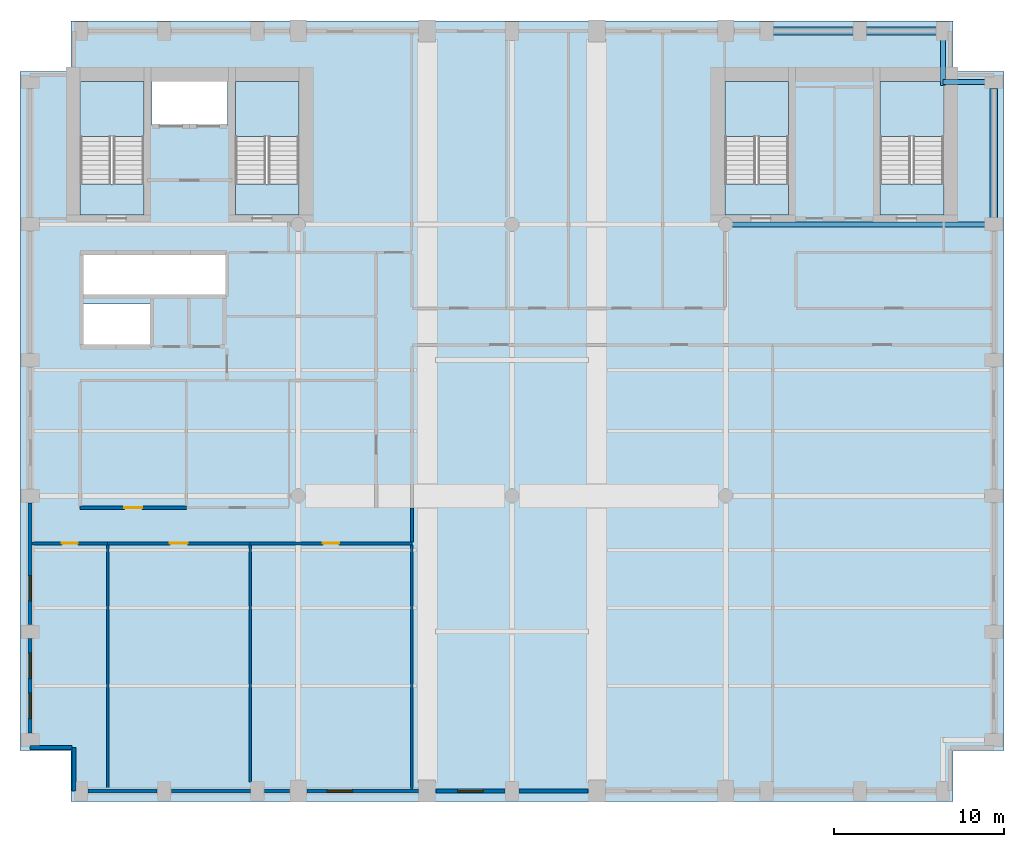
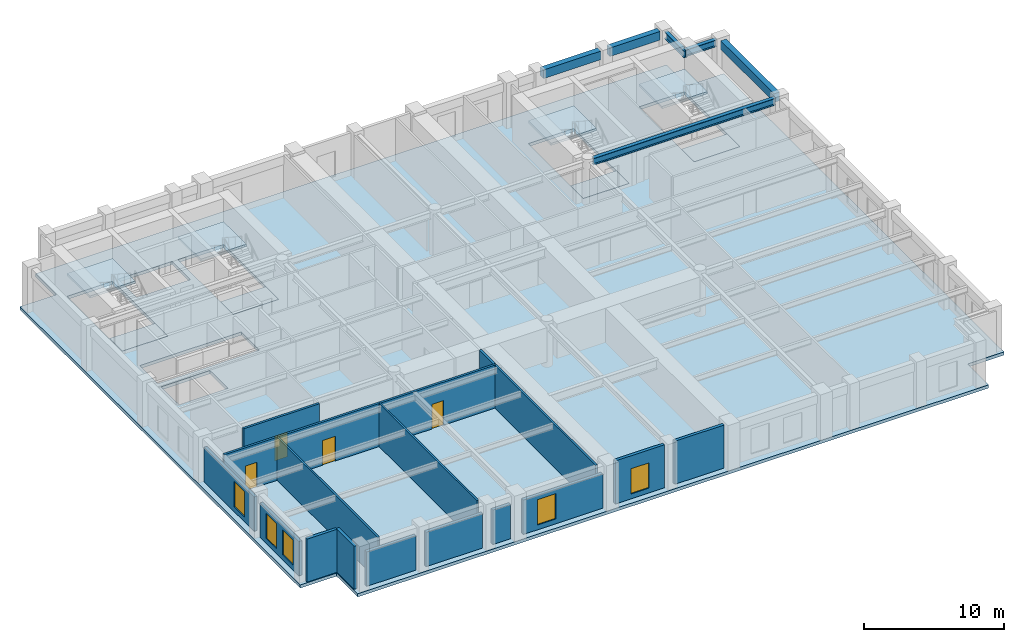
# One storey, part 2 of 8: 18 walls, 9 slabs, 6 beams, 5 windows, 4 doors, 9 openings, 4 elements without a shape of their own.
"""IFC4 building model written with IfcOpenShell, lengths in metres."""

from ifc_helpers import new_model, si_unit, direction, frame, frame_2d, origin, origin_2d, place, context, subcontext, project, spatial, polyline, rectangle, i_section, outline, extrude, material, layer, layer_set, material_profile, profile_set, type_object, element, fill, aggregate, save


model = new_model("IFC4")

# Units and contexts
model_context = context("Model", 3, precision=1e-05, world=origin(), true_north=direction((0.0, 1.0)))
body_context = subcontext(model_context, "Body", "Model", "MODEL_VIEW")
ifc_project = project(units=[si_unit("LENGTHUNIT", "METRE"), si_unit("AREAUNIT", "SQUARE_METRE"), si_unit("VOLUMEUNIT", "CUBIC_METRE"), si_unit("PLANEANGLEUNIT", "RADIAN"), si_unit("MASSUNIT", "GRAM", prefix="KILO")], contexts=[model_context])

# Site, building, storey
site_placement = place(None, origin())
site = spatial("IfcSite", under=ifc_project, at=site_placement, CompositionType="ELEMENT")
building_placement = place(site_placement, origin())
building = spatial("IfcBuilding", under=site, at=building_placement, Name="Sulina Concourse Tower", CompositionType="ELEMENT")
storey_placement = place(building_placement, frame((0.0, 0.0, 178.60009765625)))
storey = spatial("IfcBuildingStorey", under=building, at=storey_placement, Name="L43", CompositionType="ELEMENT", Elevation=178.60009765625)

# Beams
ifc_material_1 = material(Name="Steel S355", Category="steel")
ifc_material_profile_1 = material_profile(ifc_material_1, i_section(OverallWidth=0.300048828125, OverallDepth=0.60009765625, WebThickness=0.015380859375, FlangeThickness=0.030029296875, at=origin_2d()), Name="HE 600 B")
ifc_profile_set_1 = profile_set([ifc_material_profile_1], Name="Steel S355")
beam_type_1 = type_object("IfcBeamType", Name="Floor Primary Girder Zone 3 HE600B", PredefinedType="BEAM", material=ifc_profile_set_1)
beam_1_placement = place(storey_placement, frame((54.39990234375, 42.39990234375, 3.449951171875), z_axis=(1.0, 0.0, 0.0), x_axis=(0.0, 1.0, 0.0)))
element("IfcBeam", 1, at=beam_1_placement, inside=storey, type_object=beam_type_1, Name="TIE-NE-L43", PredefinedType="BEAM", context=body_context, shape_type="SweptSolid", body=[
    extrude(i_section(OverallWidth=0.300048828125, OverallDepth=0.60009765625, WebThickness=0.015380859375, FlangeThickness=0.030029296875, at=origin_2d()), origin(), (0.0, 0.0, 1.0), 2.6201171875),
])
beam_2_placement = place(storey_placement, frame((54.39990234375, 42.199951171875, 3.449951171875), z_axis=(0.0, 1.0, 0.0), x_axis=(-1.0, 0.0, 0.0)))
element("IfcBeam", 2, at=beam_2_placement, inside=storey, type_object=beam_type_1, Name="TIE-NEN-L43", PredefinedType="BEAM", context=body_context, shape_type="SweptSolid", body=[
    extrude(i_section(OverallWidth=0.300048828125, OverallDepth=0.60009765625, WebThickness=0.015380859375, FlangeThickness=0.030029296875, at=origin_2d()), origin(), (0.0, 0.0, 1.0), 2.820068359375),
])
beam_3_placement = place(storey_placement, frame((42.0048828125, 34.0, 3.449951171875), z_axis=(1.0, 0.0, 0.0), x_axis=(0.0, 1.0, 0.0)))
element("IfcBeam", 3, at=beam_3_placement, inside=storey, type_object=beam_type_1, Name="FG-EWN4-L43", PredefinedType="BEAM", context=body_context, shape_type="SweptSolid", body=[
    extrude(i_section(OverallWidth=0.300048828125, OverallDepth=0.60009765625, WebThickness=0.015380859375, FlangeThickness=0.030029296875, at=origin_2d()), origin(), (0.0, 0.0, 1.0), 15.01513671875),
])
ifc_material_2 = material(Name="Precast concrete C50/60", Category="concrete")
ifc_material_profile_2 = material_profile(ifc_material_2, rectangle(XDim=0.449951171875, YDim=0.75, at=origin_2d()), Name="RC 450x750")
ifc_profile_set_2 = profile_set([ifc_material_profile_2], Name="Precast concrete C50/60")
beam_type_2 = type_object("IfcBeamType", Name="Upper Precast Spandrel Edge Beam 450x750", PredefinedType="BEAM", material=ifc_profile_set_2)
beam_4_placement = place(storey_placement, frame((44.3798828125, 45.39990234375, 3.375), z_axis=(1.0, 0.0, 0.0), x_axis=(0.0, 1.0, 0.0)))
element("IfcBeam", 4, at=beam_4_placement, inside=storey, type_object=beam_type_2, Name="SP-N9-L43", PredefinedType="BEAM", context=body_context, shape_type="SweptSolid", body=[
    extrude(rectangle(XDim=0.449951171875, YDim=0.75, at=origin_2d()), origin(), (0.0, 0.0, 1.0), 4.740234375),
])
beam_5_placement = place(storey_placement, frame((49.8798828125, 45.39990234375, 3.375), z_axis=(1.0, 0.0, 0.0), x_axis=(0.0, 1.0, 0.0)))
element("IfcBeam", 5, at=beam_5_placement, inside=storey, type_object=beam_type_2, Name="SP-N10-L43", PredefinedType="BEAM", context=body_context, shape_type="SweptSolid", body=[
    extrude(rectangle(XDim=0.449951171875, YDim=0.75, at=origin_2d()), origin(), (0.0, 0.0, 1.0), 4.14013671875),
])
beam_6_placement = place(storey_placement, frame((57.39990234375, 34.3798828125, 3.375), z_axis=(0.0, 1.0, 0.0), x_axis=(-1.0, 0.0, 0.0)))
element("IfcBeam", 6, at=beam_6_placement, inside=storey, type_object=beam_type_2, Name="SP-E5-L43", PredefinedType="BEAM", context=body_context, shape_type="SweptSolid", body=[
    extrude(rectangle(XDim=0.449951171875, YDim=0.75, at=origin_2d()), origin(), (0.0, 0.0, 1.0), 7.64013671875),
])

# Slabs
ifc_material_3 = material(Name="Concrete C50/60", Category="concrete")
ifc_layer_1 = layer(ifc_material_3, 0.27490234375)
ifc_layer_set_1 = layer_set([ifc_layer_1], Name="Concrete C50/60")
slab_type_1 = type_object("IfcSlabType", Name="Mid-Rise Composite Floor Slab 275mm", PredefinedType="FLOOR", material=ifc_layer_set_1)
slab_1_placement = place(storey_placement, frame((0.0, 0.0, -0.275146484375)))
element("IfcSlab", 7, at=slab_1_placement, inside=storey, type_object=slab_type_1, Name="L43 structural floor slab", PredefinedType="FLOOR", context=body_context, shape_type="SweptSolid", body=[
    extrude(outline(polyline([(3.0, 0.0), (55.0, 0.0), (55.0, 3.0), (58.0, 3.0), (58.0, 43.0), (55.0, 43.0), (55.0, 46.0), (3.0, 46.0), (3.0, 43.0), (0.0, 43.0), (0.0, 3.0), (3.0, 3.0), (3.0, 0.0)]), holes=[polyline([(7.31005859375, 34.550048828125), (7.31005859375, 42.429931640625), (3.550048828125, 42.429931640625), (3.550048828125, 34.550048828125), (7.31005859375, 34.550048828125)]), polyline([(16.449951171875, 34.550048828125), (16.449951171875, 42.429931640625), (12.68994140625, 42.429931640625), (12.68994140625, 34.550048828125), (16.449951171875, 34.550048828125)]), polyline([(45.31005859375, 34.550048828125), (45.31005859375, 42.429931640625), (41.550048828125, 42.429931640625), (41.550048828125, 34.550048828125), (45.31005859375, 34.550048828125)]), polyline([(54.449951171875, 34.550048828125), (54.449951171875, 42.429931640625), (50.68994140625, 42.429931640625), (50.68994140625, 34.550048828125), (54.449951171875, 34.550048828125)]), polyline([(7.780029296875, 39.830078125), (12.219970703125, 39.830078125), (12.219970703125, 42.449951171875), (7.780029296875, 42.449951171875), (7.780029296875, 39.830078125)]), polyline([(3.739990234375, 26.780029296875), (7.77001953125, 26.780029296875), (7.77001953125, 29.320068359375), (3.739990234375, 29.320068359375), (3.739990234375, 26.780029296875)]), polyline([(3.739990234375, 29.780029296875), (12.10009765625, 29.780029296875), (12.10009765625, 32.3701171875), (3.739990234375, 32.3701171875), (3.739990234375, 29.780029296875)])]), origin(), (0.0, 0.0, 1.0), 0.275146484375),
])
ifc_material_4 = material(Name="Concrete C50/60", Category="concrete")
ifc_layer_2 = layer(ifc_material_4, 0.199951171875)
ifc_layer_set_2 = layer_set([ifc_layer_2], Name="Concrete C50/60")
slab_type_2 = type_object("IfcSlabType", Name="Primary Core Stair Landing Slab 200mm", PredefinedType="LANDING", material=ifc_layer_set_2)
slab_2_placement = place(storey_placement, frame((0.0, 0.0, -0.2001953125)))
element("IfcSlab", 8, at=slab_2_placement, inside=storey, type_object=slab_type_2, Name="L43 ST-1 floor landing slab", PredefinedType="LANDING", context=body_context, shape_type="SweptSolid", body=[
    extrude(outline(polyline([(7.31005859375, 34.550048828125), (7.31005859375, 36.375), (3.550048828125, 36.375), (3.550048828125, 34.550048828125), (7.31005859375, 34.550048828125)])), origin(), (0.0, 0.0, 1.0), 0.2001953125),
])
slab_3_placement = place(storey_placement, frame((0.0, 0.0, -0.2001953125)))
element("IfcSlab", 9, at=slab_3_placement, inside=storey, type_object=slab_type_2, Name="L43 ST-2 floor landing slab", PredefinedType="LANDING", context=body_context, shape_type="SweptSolid", body=[
    extrude(outline(polyline([(16.449951171875, 34.550048828125), (16.449951171875, 36.375), (12.68994140625, 36.375), (12.68994140625, 34.550048828125), (16.449951171875, 34.550048828125)])), origin(), (0.0, 0.0, 1.0), 0.2001953125),
])
slab_4_placement = place(storey_placement, frame((0.0, 0.0, -0.2001953125)))
element("IfcSlab", 10, at=slab_4_placement, inside=storey, type_object=slab_type_2, Name="L43 ST-3 floor landing slab", PredefinedType="LANDING", context=body_context, shape_type="SweptSolid", body=[
    extrude(outline(polyline([(45.31005859375, 34.550048828125), (45.31005859375, 36.375), (41.550048828125, 36.375), (41.550048828125, 34.550048828125), (45.31005859375, 34.550048828125)])), origin(), (0.0, 0.0, 1.0), 0.2001953125),
])
slab_5_placement = place(storey_placement, frame((0.0, 0.0, -0.2001953125)))
element("IfcSlab", 11, at=slab_5_placement, inside=storey, type_object=slab_type_2, Name="L43 ST-4 floor landing slab", PredefinedType="LANDING", context=body_context, shape_type="SweptSolid", body=[
    extrude(outline(polyline([(54.449951171875, 34.550048828125), (54.449951171875, 36.375), (50.68994140625, 36.375), (50.68994140625, 34.550048828125), (54.449951171875, 34.550048828125)])), origin(), (0.0, 0.0, 1.0), 0.2001953125),
])

# Stair, slab
ifc_material_5 = material(Name="Concrete C50/60", Category="concrete")
stair_type_1 = type_object("IfcStairType", Name="Primary Core Dog-Leg Exit Stair 1800mm", PredefinedType="HALF_TURN_STAIR", material=ifc_material_5)
stair_1_placement = place(storey_placement, origin())
stair_1 = element("IfcStair", 12, at=stair_1_placement, inside=storey, type_object=stair_type_1, Name="L43 ST-1", PredefinedType="HALF_TURN_STAIR")
slab_6_placement = place(storey_placement, frame((0.0, 0.0, 1.7998046875)))
slab_6 = element("IfcSlab", 13, at=slab_6_placement, type_object=slab_type_2, Name="ST-1 landing 1", PredefinedType="LANDING", context=body_context, shape_type="SweptSolid", body=[
    extrude(outline(polyline([(7.304931640625, 39.175048828125), (7.304931640625, 42.425048828125), (3.554931640625, 42.425048828125), (3.554931640625, 39.175048828125), (7.304931640625, 39.175048828125)])), origin(), (0.0, 0.0, 1.0), 0.2001953125),
])
aggregate(stair_1, [slab_6])

stair_2_placement = place(storey_placement, origin())
stair_2 = element("IfcStair", 14, at=stair_2_placement, inside=storey, type_object=stair_type_1, Name="L43 ST-2", PredefinedType="HALF_TURN_STAIR")
slab_7_placement = place(storey_placement, frame((0.0, 0.0, 1.7998046875)))
slab_7 = element("IfcSlab", 15, at=slab_7_placement, type_object=slab_type_2, Name="ST-2 landing 1", PredefinedType="LANDING", context=body_context, shape_type="SweptSolid", body=[
    extrude(outline(polyline([(16.445068359375, 39.175048828125), (16.445068359375, 42.425048828125), (12.695068359375, 42.425048828125), (12.695068359375, 39.175048828125), (16.445068359375, 39.175048828125)])), origin(), (0.0, 0.0, 1.0), 0.2001953125),
])
aggregate(stair_2, [slab_7])

ifc_material_6 = material(Name="Concrete C50/60", Category="concrete")
stair_type_2 = type_object("IfcStairType", Name="Portal & Podium Core Exit Stair 1820mm", PredefinedType="HALF_TURN_STAIR", material=ifc_material_6)
stair_3_placement = place(storey_placement, origin())
stair_3 = element("IfcStair", 16, at=stair_3_placement, inside=storey, type_object=stair_type_2, Name="L43 ST-3", PredefinedType="HALF_TURN_STAIR")
slab_8_placement = place(storey_placement, frame((0.0, 0.0, 1.7998046875)))
slab_8 = element("IfcSlab", 17, at=slab_8_placement, type_object=slab_type_2, Name="ST-3 landing 1", PredefinedType="LANDING", context=body_context, shape_type="SweptSolid", body=[
    extrude(outline(polyline([(45.304931640625, 39.175048828125), (45.304931640625, 42.425048828125), (41.554931640625, 42.425048828125), (41.554931640625, 39.175048828125), (45.304931640625, 39.175048828125)])), origin(), (0.0, 0.0, 1.0), 0.2001953125),
])
aggregate(stair_3, [slab_8])

stair_4_placement = place(storey_placement, origin())
stair_4 = element("IfcStair", 18, at=stair_4_placement, inside=storey, type_object=stair_type_2, Name="L43 ST-4", PredefinedType="HALF_TURN_STAIR")
slab_9_placement = place(storey_placement, frame((0.0, 0.0, 1.7998046875)))
slab_9 = element("IfcSlab", 19, at=slab_9_placement, type_object=slab_type_2, Name="ST-4 landing 1", PredefinedType="LANDING", context=body_context, shape_type="SweptSolid", body=[
    extrude(outline(polyline([(54.445068359375, 39.175048828125), (54.445068359375, 42.425048828125), (50.695068359375, 42.425048828125), (50.695068359375, 39.175048828125), (54.445068359375, 39.175048828125)])), origin(), (0.0, 0.0, 1.0), 0.2001953125),
])
aggregate(stair_4, [slab_9])

# Walls
ifc_material_7 = material(Name="Precast concrete C50/60", Category="concrete")
ifc_layer_3 = layer(ifc_material_7, 0.239990234375)
ifc_layer_set_3 = layer_set([ifc_layer_3], Name="Precast concrete C50/60")
wall_type_1 = type_object("IfcWallType", Name="Crown Precast Masonry-Frame Facade Wall 240mm", PredefinedType="SOLIDWALL", material=ifc_layer_set_3)
wall_1_placement = place(storey_placement, frame((8.080078125, 0.60009765625, 0.0), z_axis=(0.0, 0.0, 1.0), x_axis=(-1.0, 0.0, 0.0)))
element("IfcWall", 20, at=wall_1_placement, inside=storey, type_object=wall_type_1, Name="L43 exterior precast wall S1", PredefinedType="SOLIDWALL", context=body_context, shape_type="SweptSolid", body=[
    extrude(rectangle(XDim=4.06005859375, YDim=0.239990234375, at=frame_2d((2.030029296875, 0.0))), origin(), (0.0, 0.0, 1.0), 3.0),
])
wall_2_placement = place(storey_placement, frame((13.580078125, 0.60009765625, 0.0), z_axis=(0.0, 0.0, 1.0), x_axis=(-1.0, 0.0, 0.0)))
element("IfcWall", 21, at=wall_2_placement, inside=storey, type_object=wall_type_1, Name="L43 exterior precast wall S2", PredefinedType="SOLIDWALL", context=body_context, shape_type="SweptSolid", body=[
    extrude(rectangle(XDim=4.66015625, YDim=0.239990234375, at=frame_2d((2.330078125, 0.0))), origin(), (0.0, 0.0, 1.0), 3.0),
])
wall_3_placement = place(storey_placement, frame((15.8798828125, 0.60009765625, 0.0), z_axis=(0.0, 0.0, 1.0), x_axis=(-1.0, 0.0, 0.0)))
element("IfcWall", 22, at=wall_3_placement, inside=storey, type_object=wall_type_1, Name="L43 exterior precast wall S3", PredefinedType="SOLIDWALL", context=body_context, shape_type="SweptSolid", body=[
    extrude(rectangle(XDim=1.4599609375, YDim=0.239990234375, at=frame_2d((0.72998046875, 0.0))), origin(), (0.0, 0.0, 1.0), 3.0),
])

# Wall, opening, window
wall_4_placement = place(storey_placement, frame((23.47998046875, 0.60009765625, 0.0), z_axis=(0.0, 0.0, 1.0), x_axis=(-1.0, 0.0, 0.0)))
wall_4 = element("IfcWall", 23, at=wall_4_placement, inside=storey, type_object=wall_type_1, Name="L43 exterior precast wall S4", PredefinedType="SOLIDWALL", context=body_context, shape_type="SweptSolid", body=[
    extrude(rectangle(XDim=6.56005859375, YDim=0.239990234375, at=frame_2d((3.280029296875, 0.0))), origin(), (0.0, 0.0, 1.0), 3.0),
])
opening_1_placement = place(wall_4_placement, frame((3.873291015625, 0.0, 0.419921875)))
opening_1 = element("IfcOpeningElement", 24, at=opening_1_placement, cuts=wall_4, Name="Opening WN-71", PredefinedType="OPENING", context=body_context, shape_type="SweptSolid", body=[
    extrude(rectangle(XDim=1.5, YDim=2.199951171875, at=frame_2d((0.75, 1.10009765625))), frame((0.0, 0.1298828125, 0.0), z_axis=(0.0, -1.0, 0.0), x_axis=(1.0, 0.0, 0.0)), (0.0, 0.0, 1.0), 0.260009765625),
])
ifc_material_8 = material(Name="Low-E solar double glazing in bronze aluminium", Category="aluminium")
window_type = type_object("IfcWindowType", Name="Punched Masonry-Frame Window 1500x2200", PartitioningType="SINGLE_PANEL", PredefinedType="WINDOW", material=ifc_material_8)
window_1_placement = place(opening_1_placement, origin())
window_1 = element("IfcWindow", 25, at=window_1_placement, inside=storey, type_object=window_type, Name="L43 punched window S4-1", OverallHeight=2.199951171875, OverallWidth=1.5, PartitioningType="SINGLE_PANEL", PredefinedType="WINDOW", context=body_context, shape_type="SweptSolid", body=[
    extrude(rectangle(XDim=1.5, YDim=2.199951171875, at=frame_2d((0.75, 1.10009765625))), frame((0.0, 0.030029296875, 0.0), z_axis=(0.0, -1.0, 0.0), x_axis=(1.0, 0.0, 0.0)), (0.0, 0.0, 1.0), 0.06005859375),
])
fill(opening_1, window_1)

wall_5_placement = place(storey_placement, frame((28.580078125, 0.60009765625, 0.0), z_axis=(0.0, 0.0, 1.0), x_axis=(-1.0, 0.0, 0.0)))
wall_5 = element("IfcWall", 26, at=wall_5_placement, inside=storey, type_object=wall_type_1, Name="L43 exterior precast wall S5", PredefinedType="SOLIDWALL", context=body_context, shape_type="SweptSolid", body=[
    extrude(rectangle(XDim=4.06005859375, YDim=0.239990234375, at=frame_2d((2.030029296875, 0.0))), origin(), (0.0, 0.0, 1.0), 3.75),
])
opening_2_placement = place(wall_5_placement, frame((1.280029296875, 0.0, 0.419921875)))
opening_2 = element("IfcOpeningElement", 27, at=opening_2_placement, cuts=wall_5, Name="Opening WN-71", PredefinedType="OPENING", context=body_context, shape_type="SweptSolid", body=[
    extrude(rectangle(XDim=1.5, YDim=2.199951171875, at=frame_2d((0.75, 1.10009765625))), frame((0.0, 0.1298828125, 0.0), z_axis=(0.0, -1.0, 0.0), x_axis=(1.0, 0.0, 0.0)), (0.0, 0.0, 1.0), 0.260009765625),
])
window_2_placement = place(opening_2_placement, origin())
window_2 = element("IfcWindow", 28, at=window_2_placement, inside=storey, type_object=window_type, Name="L43 punched window S5-1", OverallHeight=2.199951171875, OverallWidth=1.5, PartitioningType="SINGLE_PANEL", PredefinedType="WINDOW", context=body_context, shape_type="SweptSolid", body=[
    extrude(rectangle(XDim=1.5, YDim=2.199951171875, at=frame_2d((0.75, 1.10009765625))), frame((0.0, 0.030029296875, 0.0), z_axis=(0.0, -1.0, 0.0), x_axis=(1.0, 0.0, 0.0)), (0.0, 0.0, 1.0), 0.06005859375),
])
fill(opening_2, window_2)

# Wall
wall_6_placement = place(storey_placement, frame((33.47998046875, 0.60009765625, 0.0), z_axis=(0.0, 0.0, 1.0), x_axis=(-1.0, 0.0, 0.0)))
element("IfcWall", 29, at=wall_6_placement, inside=storey, type_object=wall_type_1, Name="L43 exterior precast wall S6", PredefinedType="SOLIDWALL", context=body_context, shape_type="SweptSolid", body=[
    extrude(rectangle(XDim=4.06005859375, YDim=0.239990234375, at=frame_2d((2.030029296875, 0.0))), origin(), (0.0, 0.0, 1.0), 3.75),
])

# Wall, openings, windows
wall_7_placement = place(storey_placement, frame((0.60009765625, 4.02001953125, 0.0), z_axis=(0.0, 0.0, 1.0), x_axis=(0.0, 1.0, 0.0)))
wall_7 = element("IfcWall", 30, at=wall_7_placement, inside=storey, type_object=wall_type_1, Name="L43 exterior precast wall W1", PredefinedType="SOLIDWALL", context=body_context, shape_type="SweptSolid", body=[
    extrude(rectangle(XDim=5.56005859375, YDim=0.239990234375, at=frame_2d((2.780029296875, 0.0))), origin(), (0.0, 0.0, 1.0), 3.0),
])
opening_3_placement = place(wall_7_placement, frame((0.853271484375, 0.0, 0.419921875)))
opening_3 = element("IfcOpeningElement", 31, at=opening_3_placement, cuts=wall_7, Name="Opening WN-71", PredefinedType="OPENING", context=body_context, shape_type="SweptSolid", body=[
    extrude(rectangle(XDim=1.5, YDim=2.199951171875, at=frame_2d((0.75, 1.10009765625))), frame((0.0, 0.1298828125, 0.0), z_axis=(0.0, -1.0, 0.0), x_axis=(1.0, 0.0, 0.0)), (0.0, 0.0, 1.0), 0.260009765625),
])
opening_4_placement = place(wall_7_placement, frame((3.206787109375, 0.0, 0.419921875)))
opening_4 = element("IfcOpeningElement", 32, at=opening_4_placement, cuts=wall_7, Name="Opening WN-71", PredefinedType="OPENING", context=body_context, shape_type="SweptSolid", body=[
    extrude(rectangle(XDim=1.5, YDim=2.199951171875, at=frame_2d((0.75, 1.10009765625))), frame((0.0, 0.1298828125, 0.0), z_axis=(0.0, -1.0, 0.0), x_axis=(1.0, 0.0, 0.0)), (0.0, 0.0, 1.0), 0.260009765625),
])
window_3_placement = place(opening_3_placement, origin())
window_3 = element("IfcWindow", 33, at=window_3_placement, inside=storey, type_object=window_type, Name="L43 punched window W1-1", OverallHeight=2.199951171875, OverallWidth=1.5, PartitioningType="SINGLE_PANEL", PredefinedType="WINDOW", context=body_context, shape_type="SweptSolid", body=[
    extrude(rectangle(XDim=1.5, YDim=2.199951171875, at=frame_2d((0.75, 1.10009765625))), frame((0.0, 0.030029296875, 0.0), z_axis=(0.0, -1.0, 0.0), x_axis=(1.0, 0.0, 0.0)), (0.0, 0.0, 1.0), 0.06005859375),
])
fill(opening_3, window_3)
window_4_placement = place(opening_4_placement, origin())
window_4 = element("IfcWindow", 34, at=window_4_placement, inside=storey, type_object=window_type, Name="L43 punched window W1-2", OverallHeight=2.199951171875, OverallWidth=1.5, PartitioningType="SINGLE_PANEL", PredefinedType="WINDOW", context=body_context, shape_type="SweptSolid", body=[
    extrude(rectangle(XDim=1.5, YDim=2.199951171875, at=frame_2d((0.75, 1.10009765625))), frame((0.0, 0.030029296875, 0.0), z_axis=(0.0, -1.0, 0.0), x_axis=(1.0, 0.0, 0.0)), (0.0, 0.0, 1.0), 0.06005859375),
])
fill(opening_4, window_4)

# Wall, opening, window
wall_8_placement = place(storey_placement, frame((0.60009765625, 10.419921875, 0.0), z_axis=(0.0, 0.0, 1.0), x_axis=(0.0, 1.0, 0.0)))
wall_8 = element("IfcWall", 35, at=wall_8_placement, inside=storey, type_object=wall_type_1, Name="L43 exterior precast wall W2", PredefinedType="SOLIDWALL", context=body_context, shape_type="SweptSolid", body=[
    extrude(rectangle(XDim=7.16015625, YDim=0.239990234375, at=frame_2d((3.580078125, 0.0))), origin(), (0.0, 0.0, 1.0), 3.0),
])
opening_5_placement = place(wall_8_placement, frame((1.38671875, 0.0, 0.419921875)))
opening_5 = element("IfcOpeningElement", 36, at=opening_5_placement, cuts=wall_8, Name="Opening WN-71", PredefinedType="OPENING", context=body_context, shape_type="SweptSolid", body=[
    extrude(rectangle(XDim=1.5, YDim=2.199951171875, at=frame_2d((0.75, 1.10009765625))), frame((0.0, 0.1298828125, 0.0), z_axis=(0.0, -1.0, 0.0), x_axis=(1.0, 0.0, 0.0)), (0.0, 0.0, 1.0), 0.260009765625),
])
window_5_placement = place(opening_5_placement, origin())
window_5 = element("IfcWindow", 37, at=window_5_placement, inside=storey, type_object=window_type, Name="L43 punched window W2-1", OverallHeight=2.199951171875, OverallWidth=1.5, PartitioningType="SINGLE_PANEL", PredefinedType="WINDOW", context=body_context, shape_type="SweptSolid", body=[
    extrude(rectangle(XDim=1.5, YDim=2.199951171875, at=frame_2d((0.75, 1.10009765625))), frame((0.0, 0.030029296875, 0.0), z_axis=(0.0, -1.0, 0.0), x_axis=(1.0, 0.0, 0.0)), (0.0, 0.0, 1.0), 0.06005859375),
])
fill(opening_5, window_5)

# Walls
wall_9_placement = place(storey_placement, frame((3.179931640625, 0.60009765625, 0.0), z_axis=(0.0, 0.0, 1.0), x_axis=(0.0, 1.0, 0.0)))
element("IfcWall", 38, at=wall_9_placement, inside=storey, type_object=wall_type_1, Name="L43 exterior precast wall CSW1", PredefinedType="SOLIDWALL", context=body_context, shape_type="SweptSolid", body=[
    extrude(rectangle(XDim=2.579833984375, YDim=0.239990234375, at=frame_2d((1.2900390625, 0.0))), origin(), (0.0, 0.0, 1.0), 3.75),
])
wall_10_placement = place(storey_placement, frame((3.054931640625, 3.179931640625, 0.0), z_axis=(0.0, 0.0, 1.0), x_axis=(-1.0, 0.0, 0.0)))
element("IfcWall", 39, at=wall_10_placement, inside=storey, type_object=wall_type_1, Name="L43 exterior precast wall CSW2", PredefinedType="SOLIDWALL", context=body_context, shape_type="SweptSolid", body=[
    extrude(rectangle(XDim=2.454833984375, YDim=0.239990234375, at=frame_2d((1.2275390625, 0.0))), origin(), (0.0, 0.0, 1.0), 3.75),
])
ifc_material_9 = material(Name="Gypsum board on steel stud", Category="steel")
ifc_layer_4 = layer(ifc_material_9, 0.14990234375)
ifc_layer_set_4 = layer_set([ifc_layer_4], Name="Gypsum board on steel stud")
wall_type_2 = type_object("IfcWallType", Name="Inter-Tenancy Acoustic Partition 150mm", PredefinedType="PARTITIONING", material=ifc_layer_set_4)
wall_11_placement = place(storey_placement, frame((5.159912109375, 0.719970703125, 0.0), z_axis=(0.0, 0.0, 1.0), x_axis=(0.0, 1.0, 0.0)))
element("IfcWall", 40, at=wall_11_placement, inside=storey, type_object=wall_type_2, Name="L43 interior partition 031", PredefinedType="PARTITIONING", context=body_context, shape_type="SweptSolid", body=[
    extrude(rectangle(XDim=14.39013671875, YDim=0.14990234375, at=frame_2d((7.195068359375, 0.0))), origin(), (0.0, 0.0, 1.0), 3.75),
])
wall_12_placement = place(storey_placement, frame((13.56005859375, 1.14990234375, 0.0), z_axis=(0.0, 0.0, 1.0), x_axis=(0.0, 1.0, 0.0)))
element("IfcWall", 41, at=wall_12_placement, inside=storey, type_object=wall_type_2, Name="L43 interior partition 036", PredefinedType="PARTITIONING", context=body_context, shape_type="SweptSolid", body=[
    extrude(rectangle(XDim=13.960205078125, YDim=0.14990234375, at=frame_2d((6.97998046875, 0.0))), origin(), (0.0, 0.0, 1.0), 3.75),
])
wall_13_placement = place(storey_placement, frame((23.10009765625, 0.719970703125, 0.0), z_axis=(0.0, 0.0, 1.0), x_axis=(0.0, 1.0, 0.0)))
element("IfcWall", 42, at=wall_13_placement, inside=storey, type_object=wall_type_2, Name="L43 interior partition 043", PredefinedType="PARTITIONING", context=body_context, shape_type="SweptSolid", body=[
    extrude(rectangle(XDim=14.39013671875, YDim=0.14990234375, at=frame_2d((7.195068359375, 0.0))), origin(), (0.0, 0.0, 1.0), 3.75),
])

# Wall, opening, door
ifc_material_10 = material(Name="Gypsum board on steel stud", Category="steel")
ifc_layer_5 = layer(ifc_material_10, 0.179931640625)
ifc_layer_set_5 = layer_set([ifc_layer_5], Name="Gypsum board on steel stud")
wall_type_3 = type_object("IfcWallType", Name="Protected Corridor & Riser Partition 180mm", PredefinedType="PARTITIONING", material=ifc_layer_set_5)
wall_14_placement = place(storey_placement, frame((0.719970703125, 15.199951171875, 0.0), z_axis=(0.0, 0.0, 1.0), x_axis=(1.0, 0.0, 0.0)))
wall_14 = element("IfcWall", 43, at=wall_14_placement, inside=storey, type_object=wall_type_3, Name="L43 interior partition 001", PredefinedType="PARTITIONING", context=body_context, shape_type="SweptSolid", body=[
    extrude(rectangle(XDim=4.43994140625, YDim=0.179931640625, at=frame_2d((2.219970703125, 0.0))), origin(), (0.0, 0.0, 1.0), 3.75),
])
opening_6_placement = place(wall_14_placement, frame((1.7451171875, 0.0, 0.0)))
opening_6 = element("IfcOpeningElement", 44, at=opening_6_placement, cuts=wall_14, Name="Opening DR-19", PredefinedType="OPENING", context=body_context, shape_type="SweptSolid", body=[
    extrude(rectangle(XDim=0.949951171875, YDim=2.14990234375, at=frame_2d((0.47509765625, 1.074951171875))), frame((0.0, 0.099853515625, 0.0), z_axis=(0.0, -1.0, 0.0), x_axis=(1.0, 0.0, 0.0)), (0.0, 0.0, 1.0), 0.199951171875),
])
ifc_material_11 = material(Name="Oak-veneered acoustic timber leaf", Category="wood")
ifc_layer_6 = layer(ifc_material_11, 0.050048828125)
ifc_layer_set_6 = layer_set([ifc_layer_6], Name="Oak-veneered acoustic timber leaf")
door_type_1 = type_object("IfcDoorType", Name="Cellular Office & Meeting Door 950x2150", OperationType="NOTDEFINED", PredefinedType="DOOR", material=ifc_layer_set_6)
door_1_placement = place(opening_6_placement, origin())
door_1 = element("IfcDoor", 45, at=door_1_placement, inside=storey, type_object=door_type_1, Name="L43 interior door L43-S01", OperationType="SINGLE_SWING_RIGHT", OverallHeight=2.14990234375, OverallWidth=0.949951171875, PredefinedType="DOOR", context=body_context, shape_type="SweptSolid", body=[
    extrude(rectangle(XDim=0.949951171875, YDim=2.14990234375, at=frame_2d((0.47509765625, 1.074951171875))), frame((0.0, 0.02490234375, 0.0), z_axis=(0.0, -1.0, 0.0), x_axis=(1.0, 0.0, 0.0)), (0.0, 0.0, 1.0), 0.050048828125),
])
fill(opening_6, door_1)

wall_15_placement = place(storey_placement, frame((5.159912109375, 15.199951171875, 0.0), z_axis=(0.0, 0.0, 1.0), x_axis=(1.0, 0.0, 0.0)))
wall_15 = element("IfcWall", 46, at=wall_15_placement, inside=storey, type_object=wall_type_3, Name="L43 interior partition 002", PredefinedType="PARTITIONING", context=body_context, shape_type="SweptSolid", body=[
    extrude(rectangle(XDim=8.400146484375, YDim=0.179931640625, at=frame_2d((4.2001953125, 0.0))), origin(), (0.0, 0.0, 1.0), 3.75),
])
opening_7_placement = place(wall_15_placement, frame((3.675048828125, 0.0, 0.0)))
opening_7 = element("IfcOpeningElement", 47, at=opening_7_placement, cuts=wall_15, Name="Opening DR-37", PredefinedType="OPENING", context=body_context, shape_type="SweptSolid", body=[
    extrude(rectangle(XDim=1.050048828125, YDim=2.14990234375, at=frame_2d((0.52490234375, 1.074951171875))), frame((0.0, 0.099853515625, 0.0), z_axis=(0.0, -1.0, 0.0), x_axis=(1.0, 0.0, 0.0)), (0.0, 0.0, 1.0), 0.199951171875),
])
ifc_material_12 = material(Name="Oak-veneered fire door leaf")
ifc_layer_7 = layer(ifc_material_12, 0.050048828125)
ifc_layer_set_7 = layer_set([ifc_layer_7], Name="Oak-veneered fire door leaf")
door_type_2 = type_object("IfcDoorType", Name="Tenant Suite Entrance Fire Door 1050x2150", OperationType="NOTDEFINED", PredefinedType="DOOR", material=ifc_layer_set_7)
door_2_placement = place(opening_7_placement, origin())
door_2 = element("IfcDoor", 48, at=door_2_placement, inside=storey, type_object=door_type_2, Name="L43 interior door L43-S02", OperationType="SINGLE_SWING_LEFT", OverallHeight=2.14990234375, OverallWidth=1.050048828125, PredefinedType="DOOR", context=body_context, shape_type="SweptSolid", body=[
    extrude(rectangle(XDim=1.050048828125, YDim=2.14990234375, at=frame_2d((0.52490234375, 1.074951171875))), frame((0.0, 0.02490234375, 0.0), z_axis=(0.0, -1.0, 0.0), x_axis=(1.0, 0.0, 0.0)), (0.0, 0.0, 1.0), 0.050048828125),
])
fill(opening_7, door_2)

wall_16_placement = place(storey_placement, frame((13.56005859375, 15.199951171875, 0.0), z_axis=(0.0, 0.0, 1.0), x_axis=(1.0, 0.0, 0.0)))
wall_16 = element("IfcWall", 49, at=wall_16_placement, inside=storey, type_object=wall_type_3, Name="L43 interior partition 003", PredefinedType="PARTITIONING", context=body_context, shape_type="SweptSolid", body=[
    extrude(rectangle(XDim=9.5400390625, YDim=0.179931640625, at=frame_2d((4.77001953125, 0.0))), origin(), (0.0, 0.0, 1.0), 3.75),
])
opening_8_placement = place(wall_16_placement, frame((4.294921875, 0.0, 0.0)))
opening_8 = element("IfcOpeningElement", 50, at=opening_8_placement, cuts=wall_16, Name="Opening DR-19", PredefinedType="OPENING", context=body_context, shape_type="SweptSolid", body=[
    extrude(rectangle(XDim=0.949951171875, YDim=2.14990234375, at=frame_2d((0.47509765625, 1.074951171875))), frame((0.0, 0.099853515625, 0.0), z_axis=(0.0, -1.0, 0.0), x_axis=(1.0, 0.0, 0.0)), (0.0, 0.0, 1.0), 0.199951171875),
])
door_3_placement = place(opening_8_placement, origin())
door_3 = element("IfcDoor", 51, at=door_3_placement, inside=storey, type_object=door_type_1, Name="L43 interior door L43-S03", OperationType="SINGLE_SWING_RIGHT", OverallHeight=2.14990234375, OverallWidth=0.949951171875, PredefinedType="DOOR", context=body_context, shape_type="SweptSolid", body=[
    extrude(rectangle(XDim=0.949951171875, YDim=2.14990234375, at=frame_2d((0.47509765625, 1.074951171875))), frame((0.0, 0.02490234375, 0.0), z_axis=(0.0, -1.0, 0.0), x_axis=(1.0, 0.0, 0.0)), (0.0, 0.0, 1.0), 0.050048828125),
])
fill(opening_8, door_3)

wall_17_placement = place(storey_placement, frame((3.550048828125, 17.300048828125, 0.0), z_axis=(0.0, 0.0, 1.0), x_axis=(1.0, 0.0, 0.0)))
wall_17 = element("IfcWall", 52, at=wall_17_placement, inside=storey, type_object=wall_type_3, Name="L43 interior partition 004", PredefinedType="PARTITIONING", context=body_context, shape_type="SweptSolid", body=[
    extrude(rectangle(XDim=6.25, YDim=0.179931640625, at=frame_2d((3.125, 0.0))), origin(), (0.0, 0.0, 1.0), 3.75),
])
opening_9_placement = place(wall_17_placement, frame((2.60009765625, 0.0, 0.0)))
opening_9 = element("IfcOpeningElement", 53, at=opening_9_placement, cuts=wall_17, Name="Opening DR-37", PredefinedType="OPENING", context=body_context, shape_type="SweptSolid", body=[
    extrude(rectangle(XDim=1.050048828125, YDim=2.14990234375, at=frame_2d((0.52490234375, 1.074951171875))), frame((0.0, 0.099853515625, 0.0), z_axis=(0.0, -1.0, 0.0), x_axis=(1.0, 0.0, 0.0)), (0.0, 0.0, 1.0), 0.199951171875),
])
door_4_placement = place(opening_9_placement, origin())
door_4 = element("IfcDoor", 54, at=door_4_placement, inside=storey, type_object=door_type_2, Name="L43 interior door L43-LR-MRG1", OperationType="SINGLE_SWING_LEFT", OverallHeight=2.14990234375, OverallWidth=1.050048828125, PredefinedType="DOOR", context=body_context, shape_type="SweptSolid", body=[
    extrude(rectangle(XDim=1.050048828125, YDim=2.14990234375, at=frame_2d((0.52490234375, 1.074951171875))), frame((0.0, 0.02490234375, 0.0), z_axis=(0.0, -1.0, 0.0), x_axis=(1.0, 0.0, 0.0)), (0.0, 0.0, 1.0), 0.050048828125),
])
fill(opening_9, door_4)

# Wall
wall_18_placement = place(storey_placement, frame((23.10009765625, 15.2900390625, 0.0), z_axis=(0.0, 0.0, 1.0), x_axis=(0.0, 1.0, 0.0)))
element("IfcWall", 55, at=wall_18_placement, inside=storey, type_object=wall_type_3, Name="L43 interior partition 044", PredefinedType="PARTITIONING", context=body_context, shape_type="SweptSolid", body=[
    extrude(rectangle(XDim=2.010009765625, YDim=0.179931640625, at=frame_2d((1.0048828125, 0.0))), origin(), (0.0, 0.0, 1.0), 3.75),
])

save(model, "model.ifc")
